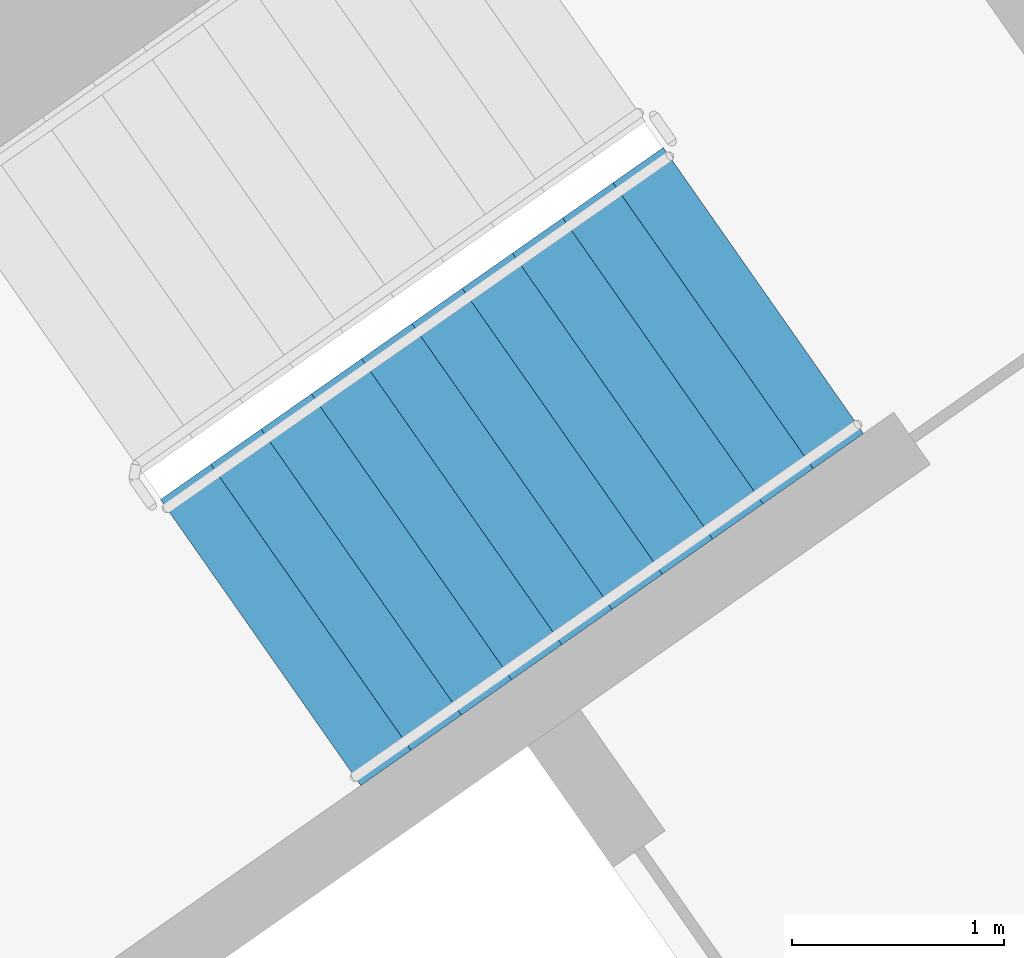
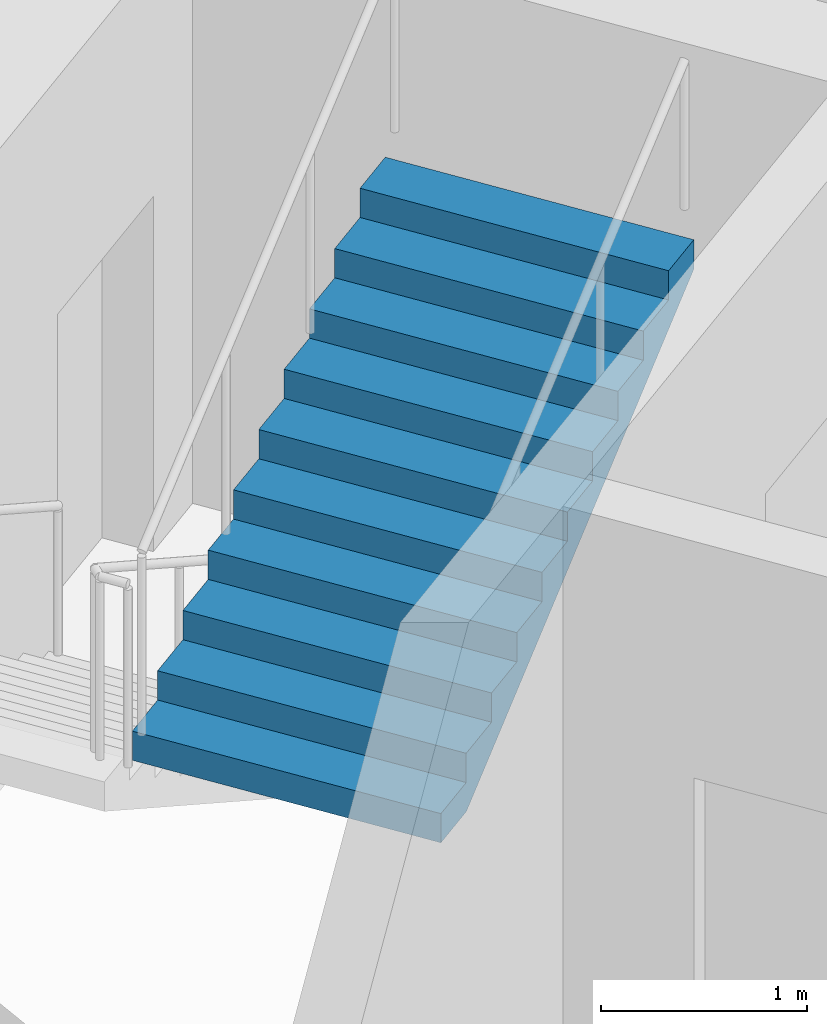
# One storey, part 16 of 28: 1 stair flight, 1 element without a shape of its own.
"""IFC4 building model written with IfcOpenShell, lengths in metres."""

import ifcopenshell
import ifcopenshell.guid

model = None  # the IFC model being written
_history = None  # IfcOwnerHistory: only IFC2X3 demands one
_inside = {}  # id of a spatial element -> (the spatial element, [elements in it])
_under = {}  # id of a project, library or spatial element -> (it, [spatial elements below it])
_declared = {}  # id of a project -> (the project, [libraries it declares])
_typed = {}  # id of a type object -> (the type object, [elements of that type])
_made_of = {}  # id of a material, layer set ... -> (it, [elements and type objects made of it])


def new_model(schema):
    """Start an empty IFC model of exactly this schema.

    Asked for "IFC4X3", IfcOpenShell would pick the latest addendum, in which some entities
    have other attributes; the version numbers below select the first issue.
    IFC2X3 requires an IfcOwnerHistory on every rooted entity: one is made here for all.
    """
    global model, _history
    if schema == "IFC4X3":
        model = ifcopenshell.file(schema_version=(4, 3, 0, 0))
    else:
        model = ifcopenshell.file(schema=schema)
    _inside.clear()
    _under.clear()
    _declared.clear()
    _typed.clear()
    _made_of.clear()
    _history = None
    if model.schema == "IFC2X3":
        org = make("IfcOrganization", Name="unknown")
        user = make(
            "IfcPersonAndOrganization",
            ThePerson=make("IfcPerson", FamilyName="unknown"),
            TheOrganization=org,
        )
        app = make(
            "IfcApplication",
            ApplicationDeveloper=org,
            Version="unknown",
            ApplicationFullName="unknown",
            ApplicationIdentifier="unknown",
        )
        _history = make(
            "IfcOwnerHistory",
            OwningUser=user,
            OwningApplication=app,
            ChangeAction="ADDED",
            CreationDate=0,
        )
    return model


def make(cls, **values):
    """One entity of the class cls with the attributes given. An attribute that is None is left unset."""
    return model.create_entity(
        cls, **{name: value for name, value in values.items() if value is not None}
    )


def rooted(cls, **values):
    """An entity with a GlobalId (a new one), such as an element, a storey or a relation."""
    return make(cls, GlobalId=ifcopenshell.guid.new(), OwnerHistory=_history, **values)


def si_unit(unit_type, name, prefix=None):
    """IfcSIUnit, for example si_unit("LENGTHUNIT", "METRE", prefix="MILLI")."""
    return make("IfcSIUnit", UnitType=unit_type, Prefix=prefix, Name=name)


def assignment(units):
    """IfcUnitAssignment: the units of a project."""
    return None if units is None else make("IfcUnitAssignment", Units=units)


def point(xyz):
    """IfcCartesianPoint."""
    return None if xyz is None else make("IfcCartesianPoint", Coordinates=xyz)


def direction(xyz):
    """IfcDirection."""
    return None if xyz is None else make("IfcDirection", DirectionRatios=xyz)


def frame(location, z_axis=None, x_axis=None):
    """IfcAxis2Placement3D, a coordinate frame: its origin and axes. An axis left out is left unset."""
    return make(
        "IfcAxis2Placement3D",
        Location=point(location),
        Axis=direction(z_axis),
        RefDirection=direction(x_axis),
    )


def origin():
    """The frame at (0, 0, 0) with its axes left unset."""
    return frame((0.0, 0.0, 0.0))


def place(relative_to, where):
    """IfcLocalPlacement: puts the frame where relative to a parent placement (None: the world)."""
    return make(
        "IfcLocalPlacement", PlacementRelTo=relative_to, RelativePlacement=where
    )


def context(
    kind, dimensions, precision=None, world=None, true_north=None, identifier=None
):
    """IfcGeometricRepresentationContext, for example the 3D "Model" context."""
    return make(
        "IfcGeometricRepresentationContext",
        ContextIdentifier=identifier,
        ContextType=kind,
        CoordinateSpaceDimension=dimensions,
        Precision=precision,
        WorldCoordinateSystem=world,
        TrueNorth=true_north,
    )


def subcontext(parent, identifier, kind, view, scale=None):
    """IfcGeometricRepresentationSubContext, for example "Body" below "Model"."""
    return make(
        "IfcGeometricRepresentationSubContext",
        ContextIdentifier=identifier,
        ContextType=kind,
        ParentContext=parent,
        TargetScale=scale,
        TargetView=view,
    )


def project(units=None, contexts=None):
    """IfcProject with its units and contexts."""
    return rooted(
        "IfcProject",
        Name="project",
        RepresentationContexts=contexts,
        UnitsInContext=assignment(units),
    )


def spatial(cls, under=None, at=None, **own):
    """A site, building, storey or space (cls), placed at a placement, below another one or the project."""
    s = rooted(cls, ObjectPlacement=at, **own)
    if under is not None:
        _under.setdefault(under.id(), (under, []))[1].append(s)
    return s


def faces_of(points, faces, orient=None, outer=None):
    """IfcFace entities. A face is a list of loops; a loop is a list of indices into points, from 0.

    orient and outer hold one flag for each loop. By default every Orientation is true, the
    first loop of a face is its IfcFaceOuterBound and the others are IfcFaceBound.
    """
    made = []
    for i, loops in enumerate(faces):
        bounds = []
        for j, loop in enumerate(loops):
            is_outer = j == 0 if outer is None else outer[i][j]
            bounds.append(
                make(
                    "IfcFaceOuterBound" if is_outer else "IfcFaceBound",
                    Bound=make("IfcPolyLoop", Polygon=[points[k] for k in loop]),
                    Orientation=True if orient is None else orient[i][j],
                )
            )
        made.append(make("IfcFace", Bounds=bounds))
    return made


def faceted_brep(points, faces, orient=None, outer=None, voids=None):
    """IfcFacetedBrep: a solid bounded by flat faces; with voids (closed shells), ...WithVoids."""
    shared = [point(p) for p in points]
    hull = make("IfcClosedShell", CfsFaces=faces_of(shared, faces, orient, outer))
    if voids is None:
        return make("IfcFacetedBrep", Outer=hull)
    return make(
        "IfcFacetedBrepWithVoids",
        Outer=hull,
        Voids=[
            make(cls, CfsFaces=faces_of(shared, fs, o, b)) for cls, fs, o, b in voids
        ],
    )


def shape(context_of_items, identifier, shape_type, items):
    """IfcShapeRepresentation: the items that make up one representation, for example the "Body"."""
    return make(
        "IfcShapeRepresentation",
        ContextOfItems=context_of_items,
        RepresentationIdentifier=identifier,
        RepresentationType=shape_type,
        Items=items,
    )


def material(Name=None, Category=None):
    """IfcMaterial."""
    return make("IfcMaterial", Name=Name, Category=Category)


def made_of(thing, what):
    """Note that an element or type object is made of a material, layer set ...; save() writes the relation."""
    if what is not None:
        _made_of.setdefault(what.id(), (what, []))[1].append(thing)
    return thing


def type_object(cls, material=None, **own):
    """A type object (cls), such as IfcWallType, which elements share."""
    return made_of(rooted(cls, **own), material)


def element(
    cls,
    number,
    at=None,
    inside=None,
    cuts=None,
    type_object=None,
    material=None,
    context=None,
    identifier="Body",
    shape_type=None,
    held_by="IfcProductDefinitionShape",
    body=None,
    shapes=None,
    **own,
):
    """One element of the class cls, such as IfcWall. Its Tag is "e" and its number.

    at: its placement. inside: the storey or other place that contains it. cuts: it is an
    opening in that element (IfcRelVoidsElement). A single representation is given by context,
    identifier, shape_type and body (its items); several are given by shapes. held_by: the class
    of the entity that holds the representations. save() writes the other relations.
    """
    e = rooted(cls, Tag="e%d" % number, ObjectPlacement=at, **own)
    if body is not None:
        shapes = [shape(context, identifier, shape_type, body)]
    if shapes is not None:
        e.Representation = make(held_by, Representations=shapes)
    if inside is not None:
        _inside.setdefault(inside.id(), (inside, []))[1].append(e)
    if cuts is not None:
        rooted(
            "IfcRelVoidsElement", RelatingBuildingElement=cuts, RelatedOpeningElement=e
        )
    if type_object is not None:
        _typed.setdefault(type_object.id(), (type_object, []))[1].append(e)
    return made_of(e, material)


def aggregate(whole, parts):
    """IfcRelAggregates: a whole, such as a stair, and the parts it consists of."""
    return rooted("IfcRelAggregates", RelatingObject=whole, RelatedObjects=parts)


def save(model, path):
    """Write the relations noted so far, then the file.

    IfcRelAggregates (storeys below a building ...), IfcRelContainedInSpatialStructure (elements
    in a storey), IfcRelDefinesByType, IfcRelAssociatesMaterial and IfcRelDeclares: one each for
    every whole, place, type object, material and project.
    """
    for whole, parts in _under.values():
        aggregate(whole, parts)
    for where, things in _inside.values():
        rooted(
            "IfcRelContainedInSpatialStructure",
            RelatedElements=things,
            RelatingStructure=where,
        )
    for kind, things in _typed.values():
        rooted("IfcRelDefinesByType", RelatedObjects=things, RelatingType=kind)
    for what, things in _made_of.values():
        rooted("IfcRelAssociatesMaterial", RelatedObjects=things, RelatingMaterial=what)
    for by, libraries in _declared.values():
        rooted("IfcRelDeclares", RelatingContext=by, RelatedDefinitions=libraries)
    model.write(path)


model = new_model("IFC4")

# Units and contexts
model_context = context("Model", 3, precision=1e-05, world=origin(), true_north=direction((0.0, 1.0)))
body_context = subcontext(model_context, "Body", "Model", "MODEL_VIEW")
ifc_project = project(units=[si_unit("LENGTHUNIT", "METRE"), si_unit("AREAUNIT", "SQUARE_METRE"), si_unit("VOLUMEUNIT", "CUBIC_METRE"), si_unit("PLANEANGLEUNIT", "RADIAN"), si_unit("MASSUNIT", "GRAM", prefix="KILO")], contexts=[model_context])

# Site, building, storey
site_placement = place(None, origin())
site = spatial("IfcSite", under=ifc_project, at=site_placement, CompositionType="ELEMENT")
building_placement = place(site_placement, origin())
building = spatial("IfcBuilding", under=site, at=building_placement, Name="Qamariyya Broadcast Tower", CompositionType="ELEMENT")
storey_placement = place(building_placement, frame((0.0, 0.0, 273.300048828125)))
storey = spatial("IfcBuildingStorey", under=building, at=storey_placement, Name="L66", CompositionType="ELEMENT", Elevation=273.300048828125)

# Stair, stair flight
ifc_material = material(Name="Concrete C50/60", Category="concrete")
stair_type = type_object("IfcStairType", Name="Exit stair 22 risers of 173 mm", PredefinedType="HALF_TURN_STAIR", material=ifc_material)
stair_placement = place(storey_placement, origin())
stair = element("IfcStair", 1, at=stair_placement, inside=storey, type_object=stair_type, Name="L66 Stair E2", PredefinedType="HALF_TURN_STAIR")
stair_flight_type = type_object("IfcStairFlightType", Name="Exit stair flight 11 risers of 173 mm", PredefinedType="STRAIGHT", material=ifc_material)
stair_flight_placement = place(storey_placement, frame((39.215576171875, -50.822998046875, 1.89990234375), z_axis=(0.0, 0.0, 1.0), x_axis=(0.819152044289, 0.573576436351, 0.0)))
stair_flight = element("IfcStairFlight", 2, at=stair_flight_placement, type_object=stair_flight_type, Name="ST-E2 flight 2", NumberOfRisers=11, NumberOfTreads=10, PredefinedType="STRAIGHT", RiserHeight=0.172727273, TreadLength=0.29, context=body_context, shape_type="Brep", body=[
    faceted_brep([(0.0, 0.824951171875, 0.0), (0.0, 0.824951171875, 0.172607421875), (0.2900390625, 0.824951171875, 0.172607421875), (0.2900390625, 0.824951171875, 0.345458984375), (0.580078125, 0.824951171875, 0.345458984375), (0.580078125, 0.824951171875, 0.51806640625), (0.8701171875, 0.824951171875, 0.51806640625), (0.8701171875, 0.824951171875, 0.69091796875), (1.159912109375, 0.824951171875, 0.69091796875), (1.159912109375, 0.824951171875, 0.863525390625), (1.449951171875, 0.824951171875, 0.863525390625), (1.449951171875, 0.824951171875, 1.036376953125), (1.739990234375, 0.824951171875, 1.036376953125), (1.739990234375, 0.824951171875, 1.208984375), (2.030029296875, 0.824951171875, 1.208984375), (2.030029296875, 0.824951171875, 1.3818359375), (2.320068359375, 0.824951171875, 1.3818359375), (2.320068359375, 0.824951171875, 1.554443359375), (2.610107421875, 0.824951171875, 1.554443359375), (2.610107421875, 0.824951171875, 1.727294921875), (2.89990234375, 0.824951171875, 1.727294921875), (2.89990234375, 0.824951171875, 1.552734375), (0.29296875, 0.824951171875, 0.0), (0.29296875, -0.824951171875, 0.0), (2.89990234375, -0.824951171875, 1.552734375), (2.89990234375, -0.824951171875, 1.727294921875), (2.610107421875, -0.824951171875, 1.727294921875), (2.610107421875, -0.824951171875, 1.554443359375), (2.320068359375, -0.824951171875, 1.554443359375), (2.320068359375, -0.824951171875, 1.3818359375), (2.030029296875, -0.824951171875, 1.3818359375), (2.030029296875, -0.824951171875, 1.208984375), (1.739990234375, -0.824951171875, 1.208984375), (1.739990234375, -0.824951171875, 1.036376953125), (1.449951171875, -0.824951171875, 1.036376953125), (1.449951171875, -0.824951171875, 0.863525390625), (1.159912109375, -0.824951171875, 0.863525390625), (1.159912109375, -0.824951171875, 0.69091796875), (0.8701171875, -0.824951171875, 0.69091796875), (0.8701171875, -0.824951171875, 0.51806640625), (0.580078125, -0.824951171875, 0.51806640625), (0.580078125, -0.824951171875, 0.345458984375), (0.2900390625, -0.824951171875, 0.345458984375), (0.2900390625, -0.824951171875, 0.172607421875), (0.0, -0.824951171875, 0.172607421875), (0.0, -0.824951171875, 0.0), (0.0, 0.10009765625, 0.0), (0.0, 0.086669921875, 0.0), (0.0, 0.0732421875, 0.0), (0.0, 0.06005859375, 0.0), (0.0, 0.046630859375, 0.0), (0.0, 0.033447265625, 0.0), (0.0, 0.02001953125, 0.0), (0.0, 0.006591796875, 0.0), (0.0, -0.006591796875, 0.0), (0.0, -0.02001953125, 0.0), (0.0, -0.033447265625, 0.0), (0.0, -0.046630859375, 0.0), (0.0, -0.06005859375, 0.0), (0.0, -0.0732421875, 0.0), (0.0, -0.086669921875, 0.0), (0.0, -0.10009765625, 0.0), (0.0, -0.10009765625, 0.172607421875), (0.0, -0.086669921875, 0.172607421875), (0.0, -0.0732421875, 0.172607421875), (0.0, -0.06005859375, 0.172607421875), (0.0, -0.046630859375, 0.172607421875), (0.0, -0.033447265625, 0.172607421875), (0.0, -0.02001953125, 0.172607421875), (0.0, -0.006591796875, 0.172607421875), (0.0, 0.006591796875, 0.172607421875), (0.0, 0.02001953125, 0.172607421875), (0.0, 0.033447265625, 0.172607421875), (0.0, 0.046630859375, 0.172607421875), (0.0, 0.06005859375, 0.172607421875), (0.0, 0.0732421875, 0.172607421875), (0.0, 0.086669921875, 0.172607421875), (0.0, 0.10009765625, 0.172607421875), (0.2900390625, -0.10009765625, 0.172607421875), (0.2900390625, -0.086669921875, 0.172607421875), (0.2900390625, -0.0732421875, 0.172607421875), (0.2900390625, -0.06005859375, 0.172607421875), (0.2900390625, -0.046630859375, 0.172607421875), (0.2900390625, -0.033447265625, 0.172607421875), (0.2900390625, -0.02001953125, 0.172607421875), (0.2900390625, -0.006591796875, 0.172607421875), (0.2900390625, 0.006591796875, 0.172607421875), (0.2900390625, 0.02001953125, 0.172607421875), (0.2900390625, 0.033447265625, 0.172607421875), (0.2900390625, 0.046630859375, 0.172607421875), (0.2900390625, 0.06005859375, 0.172607421875), (0.2900390625, 0.0732421875, 0.172607421875), (0.2900390625, 0.086669921875, 0.172607421875), (0.2900390625, 0.10009765625, 0.172607421875), (0.2900390625, -0.10009765625, 0.345458984375), (0.2900390625, -0.086669921875, 0.345458984375), (0.2900390625, -0.0732421875, 0.345458984375), (0.2900390625, -0.06005859375, 0.345458984375), (0.2900390625, -0.046630859375, 0.345458984375), (0.2900390625, -0.033447265625, 0.345458984375), (0.2900390625, -0.02001953125, 0.345458984375), (0.2900390625, -0.006591796875, 0.345458984375), (0.2900390625, 0.006591796875, 0.345458984375), (0.2900390625, 0.02001953125, 0.345458984375), (0.2900390625, 0.033447265625, 0.345458984375), (0.2900390625, 0.046630859375, 0.345458984375), (0.2900390625, 0.06005859375, 0.345458984375), (0.2900390625, 0.0732421875, 0.345458984375), (0.2900390625, 0.086669921875, 0.345458984375), (0.2900390625, 0.10009765625, 0.345458984375), (0.580078125, -0.10009765625, 0.345458984375), (0.580078125, -0.086669921875, 0.345458984375), (0.580078125, -0.0732421875, 0.345458984375), (0.580078125, -0.06005859375, 0.345458984375), (0.580078125, -0.046630859375, 0.345458984375), (0.580078125, -0.033447265625, 0.345458984375), (0.580078125, -0.02001953125, 0.345458984375), (0.580078125, -0.006591796875, 0.345458984375), (0.580078125, 0.006591796875, 0.345458984375), (0.580078125, 0.02001953125, 0.345458984375), (0.580078125, 0.033447265625, 0.345458984375), (0.580078125, 0.046630859375, 0.345458984375), (0.580078125, 0.06005859375, 0.345458984375), (0.580078125, 0.0732421875, 0.345458984375), (0.580078125, 0.086669921875, 0.345458984375), (0.580078125, 0.10009765625, 0.345458984375), (0.580078125, -0.10009765625, 0.51806640625), (0.580078125, -0.086669921875, 0.51806640625), (0.580078125, -0.0732421875, 0.51806640625), (0.580078125, -0.06005859375, 0.51806640625), (0.580078125, -0.046630859375, 0.51806640625), (0.580078125, -0.033447265625, 0.51806640625), (0.580078125, -0.02001953125, 0.51806640625), (0.580078125, -0.006591796875, 0.51806640625), (0.580078125, 0.006591796875, 0.51806640625), (0.580078125, 0.02001953125, 0.51806640625), (0.580078125, 0.033447265625, 0.51806640625), (0.580078125, 0.046630859375, 0.51806640625), (0.580078125, 0.06005859375, 0.51806640625), (0.580078125, 0.0732421875, 0.51806640625), (0.580078125, 0.086669921875, 0.51806640625), (0.580078125, 0.10009765625, 0.51806640625), (0.8701171875, -0.10009765625, 0.51806640625), (0.8701171875, -0.086669921875, 0.51806640625), (0.8701171875, -0.0732421875, 0.51806640625), (0.8701171875, -0.06005859375, 0.51806640625), (0.8701171875, -0.046630859375, 0.51806640625), (0.8701171875, -0.033447265625, 0.51806640625), (0.8701171875, -0.02001953125, 0.51806640625), (0.8701171875, -0.006591796875, 0.51806640625), (0.8701171875, 0.006591796875, 0.51806640625), (0.8701171875, 0.02001953125, 0.51806640625), (0.8701171875, 0.033447265625, 0.51806640625), (0.8701171875, 0.046630859375, 0.51806640625), (0.8701171875, 0.06005859375, 0.51806640625), (0.8701171875, 0.0732421875, 0.51806640625), (0.8701171875, 0.086669921875, 0.51806640625), (0.8701171875, 0.10009765625, 0.51806640625), (0.8701171875, -0.10009765625, 0.69091796875), (0.8701171875, -0.086669921875, 0.69091796875), (0.8701171875, -0.0732421875, 0.69091796875), (0.8701171875, -0.06005859375, 0.69091796875), (0.8701171875, -0.046630859375, 0.69091796875), (0.8701171875, -0.033447265625, 0.69091796875), (0.8701171875, -0.02001953125, 0.69091796875), (0.8701171875, -0.006591796875, 0.69091796875), (0.8701171875, 0.006591796875, 0.69091796875), (0.8701171875, 0.02001953125, 0.69091796875), (0.8701171875, 0.033447265625, 0.69091796875), (0.8701171875, 0.046630859375, 0.69091796875), (0.8701171875, 0.06005859375, 0.69091796875), (0.8701171875, 0.0732421875, 0.69091796875), (0.8701171875, 0.086669921875, 0.69091796875), (0.8701171875, 0.10009765625, 0.69091796875), (1.159912109375, -0.10009765625, 0.69091796875), (1.159912109375, -0.086669921875, 0.69091796875), (1.159912109375, -0.0732421875, 0.69091796875), (1.159912109375, -0.06005859375, 0.69091796875), (1.159912109375, -0.046630859375, 0.69091796875), (1.159912109375, -0.033447265625, 0.69091796875), (1.159912109375, -0.02001953125, 0.69091796875), (1.159912109375, -0.006591796875, 0.69091796875), (1.159912109375, 0.006591796875, 0.69091796875), (1.159912109375, 0.02001953125, 0.69091796875), (1.159912109375, 0.033447265625, 0.69091796875), (1.159912109375, 0.046630859375, 0.69091796875), (1.159912109375, 0.06005859375, 0.69091796875), (1.159912109375, 0.0732421875, 0.69091796875), (1.159912109375, 0.086669921875, 0.69091796875), (1.159912109375, 0.10009765625, 0.69091796875), (1.159912109375, -0.10009765625, 0.863525390625), (1.159912109375, -0.086669921875, 0.863525390625), (1.159912109375, -0.0732421875, 0.863525390625), (1.159912109375, -0.06005859375, 0.863525390625), (1.159912109375, -0.046630859375, 0.863525390625), (1.159912109375, -0.033447265625, 0.863525390625), (1.159912109375, -0.02001953125, 0.863525390625), (1.159912109375, -0.006591796875, 0.863525390625), (1.159912109375, 0.006591796875, 0.863525390625), (1.159912109375, 0.02001953125, 0.863525390625), (1.159912109375, 0.033447265625, 0.863525390625), (1.159912109375, 0.046630859375, 0.863525390625), (1.159912109375, 0.06005859375, 0.863525390625), (1.159912109375, 0.0732421875, 0.863525390625), (1.159912109375, 0.086669921875, 0.863525390625), (1.159912109375, 0.10009765625, 0.863525390625), (1.449951171875, -0.10009765625, 0.863525390625), (1.449951171875, -0.086669921875, 0.863525390625), (1.449951171875, -0.0732421875, 0.863525390625), (1.449951171875, -0.06005859375, 0.863525390625), (1.449951171875, -0.046630859375, 0.863525390625), (1.449951171875, -0.033447265625, 0.863525390625), (1.449951171875, -0.02001953125, 0.863525390625), (1.449951171875, -0.006591796875, 0.863525390625), (1.449951171875, 0.006591796875, 0.863525390625), (1.449951171875, 0.02001953125, 0.863525390625), (1.449951171875, 0.033447265625, 0.863525390625), (1.449951171875, 0.046630859375, 0.863525390625), (1.449951171875, 0.06005859375, 0.863525390625), (1.449951171875, 0.0732421875, 0.863525390625), (1.449951171875, 0.086669921875, 0.863525390625), (1.449951171875, 0.10009765625, 0.863525390625), (1.449951171875, -0.10009765625, 1.036376953125), (1.449951171875, -0.086669921875, 1.036376953125), (1.449951171875, -0.0732421875, 1.036376953125), (1.449951171875, -0.06005859375, 1.036376953125), (1.449951171875, -0.046630859375, 1.036376953125), (1.449951171875, -0.033447265625, 1.036376953125), (1.449951171875, -0.02001953125, 1.036376953125), (1.449951171875, -0.006591796875, 1.036376953125), (1.449951171875, 0.006591796875, 1.036376953125), (1.449951171875, 0.02001953125, 1.036376953125), (1.449951171875, 0.033447265625, 1.036376953125), (1.449951171875, 0.046630859375, 1.036376953125), (1.449951171875, 0.06005859375, 1.036376953125), (1.449951171875, 0.0732421875, 1.036376953125), (1.449951171875, 0.086669921875, 1.036376953125), (1.449951171875, 0.10009765625, 1.036376953125), (1.739990234375, -0.10009765625, 1.036376953125), (1.739990234375, -0.086669921875, 1.036376953125), (1.739990234375, -0.0732421875, 1.036376953125), (1.739990234375, -0.06005859375, 1.036376953125), (1.739990234375, -0.046630859375, 1.036376953125), (1.739990234375, -0.033447265625, 1.036376953125), (1.739990234375, -0.02001953125, 1.036376953125), (1.739990234375, -0.006591796875, 1.036376953125), (1.739990234375, 0.006591796875, 1.036376953125), (1.739990234375, 0.02001953125, 1.036376953125), (1.739990234375, 0.033447265625, 1.036376953125), (1.739990234375, 0.046630859375, 1.036376953125), (1.739990234375, 0.06005859375, 1.036376953125), (1.739990234375, 0.0732421875, 1.036376953125), (1.739990234375, 0.086669921875, 1.036376953125), (1.739990234375, 0.10009765625, 1.036376953125), (1.739990234375, -0.10009765625, 1.208984375), (1.739990234375, -0.086669921875, 1.208984375), (1.739990234375, -0.0732421875, 1.208984375), (1.739990234375, -0.06005859375, 1.208984375), (1.739990234375, -0.046630859375, 1.208984375), (1.739990234375, -0.033447265625, 1.208984375), (1.739990234375, -0.02001953125, 1.208984375), (1.739990234375, -0.006591796875, 1.208984375), (1.739990234375, 0.006591796875, 1.208984375), (1.739990234375, 0.02001953125, 1.208984375), (1.739990234375, 0.033447265625, 1.208984375), (1.739990234375, 0.046630859375, 1.208984375), (1.739990234375, 0.06005859375, 1.208984375), (1.739990234375, 0.0732421875, 1.208984375), (1.739990234375, 0.086669921875, 1.208984375), (1.739990234375, 0.10009765625, 1.208984375), (2.030029296875, -0.10009765625, 1.208984375), (2.030029296875, -0.086669921875, 1.208984375), (2.030029296875, -0.0732421875, 1.208984375), (2.030029296875, -0.06005859375, 1.208984375), (2.030029296875, -0.046630859375, 1.208984375), (2.030029296875, -0.033447265625, 1.208984375), (2.030029296875, -0.02001953125, 1.208984375), (2.030029296875, -0.006591796875, 1.208984375), (2.030029296875, 0.006591796875, 1.208984375), (2.030029296875, 0.02001953125, 1.208984375), (2.030029296875, 0.033447265625, 1.208984375), (2.030029296875, 0.046630859375, 1.208984375), (2.030029296875, 0.06005859375, 1.208984375), (2.030029296875, 0.0732421875, 1.208984375), (2.030029296875, 0.086669921875, 1.208984375), (2.030029296875, 0.10009765625, 1.208984375), (2.030029296875, -0.10009765625, 1.3818359375), (2.030029296875, -0.086669921875, 1.3818359375), (2.030029296875, -0.0732421875, 1.3818359375), (2.030029296875, -0.06005859375, 1.3818359375), (2.030029296875, -0.046630859375, 1.3818359375), (2.030029296875, -0.033447265625, 1.3818359375), (2.030029296875, -0.02001953125, 1.3818359375), (2.030029296875, -0.006591796875, 1.3818359375), (2.030029296875, 0.006591796875, 1.3818359375), (2.030029296875, 0.02001953125, 1.3818359375), (2.030029296875, 0.033447265625, 1.3818359375), (2.030029296875, 0.046630859375, 1.3818359375), (2.030029296875, 0.06005859375, 1.3818359375), (2.030029296875, 0.0732421875, 1.3818359375), (2.030029296875, 0.086669921875, 1.3818359375), (2.030029296875, 0.10009765625, 1.3818359375), (2.320068359375, -0.10009765625, 1.3818359375), (2.320068359375, -0.086669921875, 1.3818359375), (2.320068359375, -0.0732421875, 1.3818359375), (2.320068359375, -0.06005859375, 1.3818359375), (2.320068359375, -0.046630859375, 1.3818359375), (2.320068359375, -0.033447265625, 1.3818359375), (2.320068359375, -0.02001953125, 1.3818359375), (2.320068359375, -0.006591796875, 1.3818359375), (2.320068359375, 0.006591796875, 1.3818359375), (2.320068359375, 0.02001953125, 1.3818359375), (2.320068359375, 0.033447265625, 1.3818359375), (2.320068359375, 0.046630859375, 1.3818359375), (2.320068359375, 0.06005859375, 1.3818359375), (2.320068359375, 0.0732421875, 1.3818359375), (2.320068359375, 0.086669921875, 1.3818359375), (2.320068359375, 0.10009765625, 1.3818359375), (2.320068359375, -0.10009765625, 1.554443359375), (2.320068359375, -0.086669921875, 1.554443359375), (2.320068359375, -0.0732421875, 1.554443359375), (2.320068359375, -0.06005859375, 1.554443359375), (2.320068359375, -0.046630859375, 1.554443359375), (2.320068359375, -0.033447265625, 1.554443359375), (2.320068359375, -0.02001953125, 1.554443359375), (2.320068359375, -0.006591796875, 1.554443359375), (2.320068359375, 0.006591796875, 1.554443359375), (2.320068359375, 0.02001953125, 1.554443359375), (2.320068359375, 0.033447265625, 1.554443359375), (2.320068359375, 0.046630859375, 1.554443359375), (2.320068359375, 0.06005859375, 1.554443359375), (2.320068359375, 0.0732421875, 1.554443359375), (2.320068359375, 0.086669921875, 1.554443359375), (2.320068359375, 0.10009765625, 1.554443359375), (2.610107421875, -0.10009765625, 1.554443359375), (2.610107421875, -0.086669921875, 1.554443359375), (2.610107421875, -0.0732421875, 1.554443359375), (2.610107421875, -0.06005859375, 1.554443359375), (2.610107421875, -0.046630859375, 1.554443359375), (2.610107421875, -0.033447265625, 1.554443359375), (2.610107421875, -0.02001953125, 1.554443359375), (2.610107421875, -0.006591796875, 1.554443359375), (2.610107421875, 0.006591796875, 1.554443359375), (2.610107421875, 0.02001953125, 1.554443359375), (2.610107421875, 0.033447265625, 1.554443359375), (2.610107421875, 0.046630859375, 1.554443359375), (2.610107421875, 0.06005859375, 1.554443359375), (2.610107421875, 0.0732421875, 1.554443359375), (2.610107421875, 0.086669921875, 1.554443359375), (2.610107421875, 0.10009765625, 1.554443359375), (2.610107421875, -0.10009765625, 1.727294921875), (2.610107421875, -0.086669921875, 1.727294921875), (2.610107421875, -0.0732421875, 1.727294921875), (2.610107421875, -0.06005859375, 1.727294921875), (2.610107421875, -0.046630859375, 1.727294921875), (2.610107421875, -0.033447265625, 1.727294921875), (2.610107421875, -0.02001953125, 1.727294921875), (2.610107421875, -0.006591796875, 1.727294921875), (2.610107421875, 0.006591796875, 1.727294921875), (2.610107421875, 0.02001953125, 1.727294921875), (2.610107421875, 0.033447265625, 1.727294921875), (2.610107421875, 0.046630859375, 1.727294921875), (2.610107421875, 0.06005859375, 1.727294921875), (2.610107421875, 0.0732421875, 1.727294921875), (2.610107421875, 0.086669921875, 1.727294921875), (2.610107421875, 0.10009765625, 1.727294921875), (2.89990234375, -0.10009765625, 1.727294921875), (2.89990234375, -0.086669921875, 1.727294921875), (2.89990234375, -0.0732421875, 1.727294921875), (2.89990234375, -0.06005859375, 1.727294921875), (2.89990234375, -0.046630859375, 1.727294921875), (2.89990234375, -0.033447265625, 1.727294921875), (2.89990234375, -0.02001953125, 1.727294921875), (2.89990234375, -0.006591796875, 1.727294921875), (2.89990234375, 0.006591796875, 1.727294921875), (2.89990234375, 0.02001953125, 1.727294921875), (2.89990234375, 0.033447265625, 1.727294921875), (2.89990234375, 0.046630859375, 1.727294921875), (2.89990234375, 0.06005859375, 1.727294921875), (2.89990234375, 0.0732421875, 1.727294921875), (2.89990234375, 0.086669921875, 1.727294921875), (2.89990234375, 0.10009765625, 1.727294921875), (2.89990234375, -0.10009765625, 1.552734375), (2.89990234375, -0.086669921875, 1.552734375), (2.89990234375, -0.0732421875, 1.552734375), (2.89990234375, -0.06005859375, 1.552734375), (2.89990234375, -0.046630859375, 1.552734375), (2.89990234375, -0.033447265625, 1.552734375), (2.89990234375, -0.02001953125, 1.552734375), (2.89990234375, -0.006591796875, 1.552734375), (2.89990234375, 0.006591796875, 1.552734375), (2.89990234375, 0.02001953125, 1.552734375), (2.89990234375, 0.033447265625, 1.552734375), (2.89990234375, 0.046630859375, 1.552734375), (2.89990234375, 0.06005859375, 1.552734375), (2.89990234375, 0.0732421875, 1.552734375), (2.89990234375, 0.086669921875, 1.552734375), (2.89990234375, 0.10009765625, 1.552734375), (0.29296875, -0.10009765625, 0.0), (0.29296875, -0.086669921875, 0.0), (0.29296875, -0.0732421875, 0.0), (0.29296875, -0.06005859375, 0.0), (0.29296875, -0.046630859375, 0.0), (0.29296875, -0.033447265625, 0.0), (0.29296875, -0.02001953125, 0.0), (0.29296875, -0.006591796875, 0.0), (0.29296875, 0.006591796875, 0.0), (0.29296875, 0.02001953125, 0.0), (0.29296875, 0.033447265625, 0.0), (0.29296875, 0.046630859375, 0.0), (0.29296875, 0.06005859375, 0.0), (0.29296875, 0.0732421875, 0.0), (0.29296875, 0.086669921875, 0.0), (0.29296875, 0.10009765625, 0.0)], [[[0, 1, 2, 3, 4, 5, 6, 7, 8, 9, 10, 11, 12, 13, 14, 15, 16, 17, 18, 19, 20, 21, 22]], [[23, 24, 25, 26, 27, 28, 29, 30, 31, 32, 33, 34, 35, 36, 37, 38, 39, 40, 41, 42, 43, 44, 45]], [[0, 46, 47, 48, 49, 50, 51, 52, 53, 54, 55, 56, 57, 58, 59, 60, 61, 45, 44, 62, 63, 64, 65, 66, 67, 68, 69, 70, 71, 72, 73, 74, 75, 76, 77, 1]], [[1, 77, 76, 75, 74, 73, 72, 71, 70, 69, 68, 67, 66, 65, 64, 63, 62, 44, 43, 78, 79, 80, 81, 82, 83, 84, 85, 86, 87, 88, 89, 90, 91, 92, 93, 2]], [[2, 93, 92, 91, 90, 89, 88, 87, 86, 85, 84, 83, 82, 81, 80, 79, 78, 43, 42, 94, 95, 96, 97, 98, 99, 100, 101, 102, 103, 104, 105, 106, 107, 108, 109, 3]], [[3, 109, 108, 107, 106, 105, 104, 103, 102, 101, 100, 99, 98, 97, 96, 95, 94, 42, 41, 110, 111, 112, 113, 114, 115, 116, 117, 118, 119, 120, 121, 122, 123, 124, 125, 4]], [[4, 125, 124, 123, 122, 121, 120, 119, 118, 117, 116, 115, 114, 113, 112, 111, 110, 41, 40, 126, 127, 128, 129, 130, 131, 132, 133, 134, 135, 136, 137, 138, 139, 140, 141, 5]], [[5, 141, 140, 139, 138, 137, 136, 135, 134, 133, 132, 131, 130, 129, 128, 127, 126, 40, 39, 142, 143, 144, 145, 146, 147, 148, 149, 150, 151, 152, 153, 154, 155, 156, 157, 6]], [[6, 157, 156, 155, 154, 153, 152, 151, 150, 149, 148, 147, 146, 145, 144, 143, 142, 39, 38, 158, 159, 160, 161, 162, 163, 164, 165, 166, 167, 168, 169, 170, 171, 172, 173, 7]], [[7, 173, 172, 171, 170, 169, 168, 167, 166, 165, 164, 163, 162, 161, 160, 159, 158, 38, 37, 174, 175, 176, 177, 178, 179, 180, 181, 182, 183, 184, 185, 186, 187, 188, 189, 8]], [[8, 189, 188, 187, 186, 185, 184, 183, 182, 181, 180, 179, 178, 177, 176, 175, 174, 37, 36, 190, 191, 192, 193, 194, 195, 196, 197, 198, 199, 200, 201, 202, 203, 204, 205, 9]], [[9, 205, 204, 203, 202, 201, 200, 199, 198, 197, 196, 195, 194, 193, 192, 191, 190, 36, 35, 206, 207, 208, 209, 210, 211, 212, 213, 214, 215, 216, 217, 218, 219, 220, 221, 10]], [[10, 221, 220, 219, 218, 217, 216, 215, 214, 213, 212, 211, 210, 209, 208, 207, 206, 35, 34, 222, 223, 224, 225, 226, 227, 228, 229, 230, 231, 232, 233, 234, 235, 236, 237, 11]], [[11, 237, 236, 235, 234, 233, 232, 231, 230, 229, 228, 227, 226, 225, 224, 223, 222, 34, 33, 238, 239, 240, 241, 242, 243, 244, 245, 246, 247, 248, 249, 250, 251, 252, 253, 12]], [[12, 253, 252, 251, 250, 249, 248, 247, 246, 245, 244, 243, 242, 241, 240, 239, 238, 33, 32, 254, 255, 256, 257, 258, 259, 260, 261, 262, 263, 264, 265, 266, 267, 268, 269, 13]], [[13, 269, 268, 267, 266, 265, 264, 263, 262, 261, 260, 259, 258, 257, 256, 255, 254, 32, 31, 270, 271, 272, 273, 274, 275, 276, 277, 278, 279, 280, 281, 282, 283, 284, 285, 14]], [[14, 285, 284, 283, 282, 281, 280, 279, 278, 277, 276, 275, 274, 273, 272, 271, 270, 31, 30, 286, 287, 288, 289, 290, 291, 292, 293, 294, 295, 296, 297, 298, 299, 300, 301, 15]], [[15, 301, 300, 299, 298, 297, 296, 295, 294, 293, 292, 291, 290, 289, 288, 287, 286, 30, 29, 302, 303, 304, 305, 306, 307, 308, 309, 310, 311, 312, 313, 314, 315, 316, 317, 16]], [[16, 317, 316, 315, 314, 313, 312, 311, 310, 309, 308, 307, 306, 305, 304, 303, 302, 29, 28, 318, 319, 320, 321, 322, 323, 324, 325, 326, 327, 328, 329, 330, 331, 332, 333, 17]], [[17, 333, 332, 331, 330, 329, 328, 327, 326, 325, 324, 323, 322, 321, 320, 319, 318, 28, 27, 334, 335, 336, 337, 338, 339, 340, 341, 342, 343, 344, 345, 346, 347, 348, 349, 18]], [[18, 349, 348, 347, 346, 345, 344, 343, 342, 341, 340, 339, 338, 337, 336, 335, 334, 27, 26, 350, 351, 352, 353, 354, 355, 356, 357, 358, 359, 360, 361, 362, 363, 364, 365, 19]], [[19, 365, 364, 363, 362, 361, 360, 359, 358, 357, 356, 355, 354, 353, 352, 351, 350, 26, 25, 366, 367, 368, 369, 370, 371, 372, 373, 374, 375, 376, 377, 378, 379, 380, 381, 20]], [[20, 381, 380, 379, 378, 377, 376, 375, 374, 373, 372, 371, 370, 369, 368, 367, 366, 25, 24, 382, 383, 384, 385, 386, 387, 388, 389, 390, 391, 392, 393, 394, 395, 396, 397, 21]], [[21, 397, 396, 395, 394, 393, 392, 391, 390, 389, 388, 387, 386, 385, 384, 383, 382, 24, 23, 398, 399, 400, 401, 402, 403, 404, 405, 406, 407, 408, 409, 410, 411, 412, 413, 22]], [[22, 413, 412, 411, 410, 409, 408, 407, 406, 405, 404, 403, 402, 401, 400, 399, 398, 23, 45, 61, 60, 59, 58, 57, 56, 55, 54, 53, 52, 51, 50, 49, 48, 47, 46, 0]]]),
])
aggregate(stair, [stair_flight])

save(model, "model.ifc")
